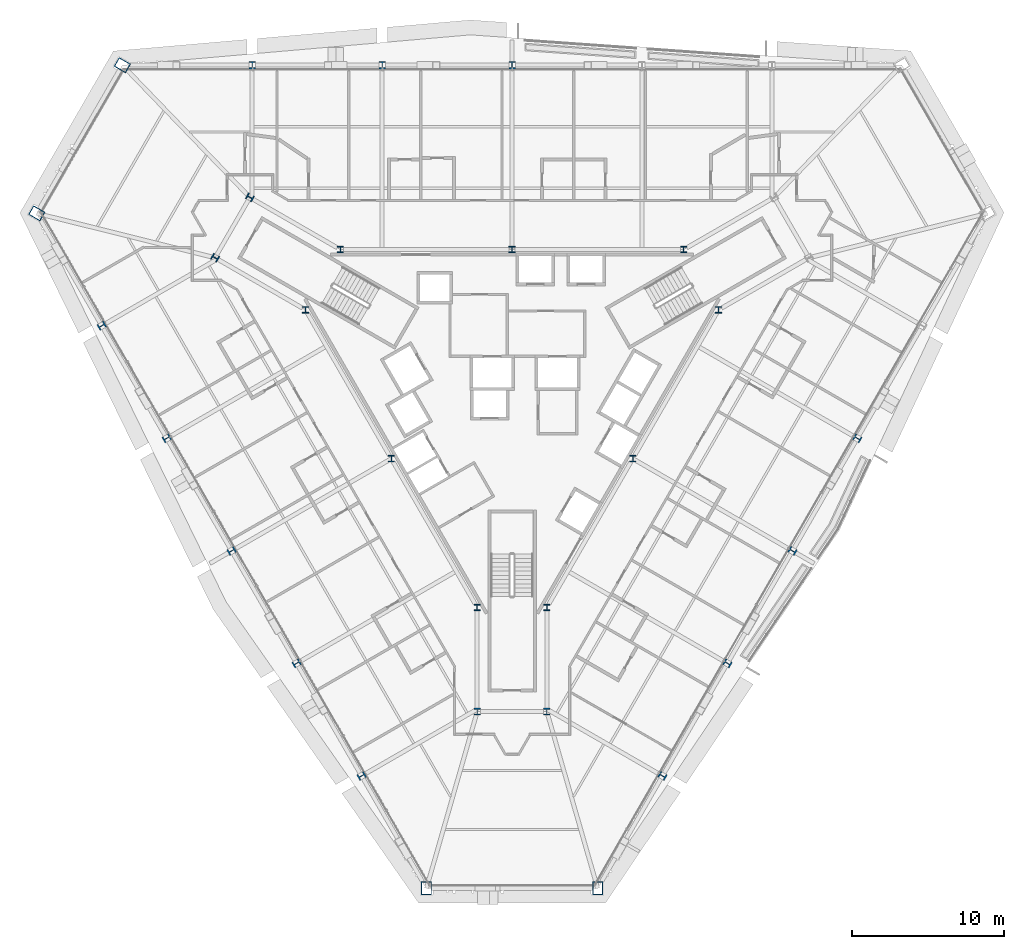
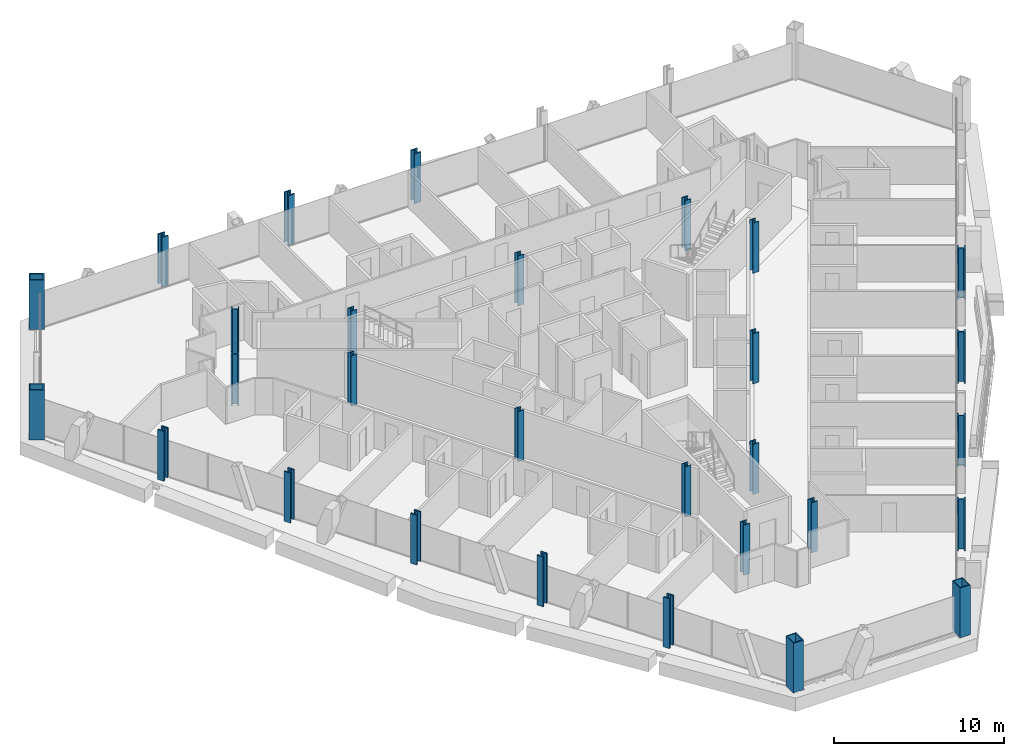
# One storey, part 1 of 20: 29 columns.
"""IFC4 building model written with IfcOpenShell, lengths in metres."""

from ifc_helpers import new_model, si_unit, direction, frame, origin, origin_2d, place, context, subcontext, project, spatial, hollow_rectangle, i_section, extrude, material, material_profile, profile_set, type_object, element, save


model = new_model("IFC4")

# Units and contexts
model_context = context("Model", 3, precision=1e-05, world=origin(), true_north=direction((0.0, 1.0)))
body_context = subcontext(model_context, "Body", "Model", "MODEL_VIEW")
ifc_project = project(units=[si_unit("LENGTHUNIT", "METRE"), si_unit("AREAUNIT", "SQUARE_METRE"), si_unit("VOLUMEUNIT", "CUBIC_METRE"), si_unit("PLANEANGLEUNIT", "RADIAN"), si_unit("MASSUNIT", "GRAM", prefix="KILO")], contexts=[model_context])

# Site, building, storey
site_placement = place(None, origin())
site = spatial("IfcSite", under=ifc_project, at=site_placement, CompositionType="ELEMENT")
building_placement = place(site_placement, origin())
building = spatial("IfcBuilding", under=site, at=building_placement, Name="Verrane Prism Tower", CompositionType="ELEMENT")
storey_placement = place(building_placement, frame((0.0, 0.0, 69.199951171875)))
storey = spatial("IfcBuildingStorey", under=building, at=storey_placement, Name="L15", CompositionType="ELEMENT", Elevation=69.199951171875)

# Columns
ifc_material_1 = material(Name="Steel A992", Category="steel")
ifc_material_profile_1 = material_profile(ifc_material_1, i_section(OverallWidth=0.419189453125, OverallDepth=0.45458984375, WebThickness=0.042236328125, FlangeThickness=0.067626953125, FilletRadius=0.01513671875, at=origin_2d()), Name="W14x370")
ifc_profile_set_1 = profile_set([ifc_material_profile_1], Name="Steel A992")
column_type_1 = type_object("IfcColumnType", Name="Core corner column W14x370", PredefinedType="COLUMN", material=ifc_profile_set_1)
for number, where, z_axis, x_axis, name in (
    (1, (-17.300048828125, 12.639892578125, 0.0), (0.0, 0.0, 1.0), (0.5, 0.866025403784, 0.0), "Core corner column CK-NWm L15"),
    (2, (-19.60009765625, 8.659912109375, 0.0), (0.0, 0.0, 1.0), (0.5, 0.866025403784, 0.0), "Core corner column CK-NWp L15"),
    (3, (-2.300048828125, -21.300048828125, 0.0), (0.0, 0.0, 1.0), (-1.0, 0.0, 0.0), "Core corner column CK-Sm L15"),
    (4, (2.300048828125, -21.300048828125, 0.0), (0.0, 0.0, 1.0), (-1.0, 0.0, 0.0), "Core corner column CK-Sp L15"),
):
    element("IfcColumn", number, at=place(storey_placement, frame(where, z_axis=z_axis, x_axis=x_axis)), inside=storey, type_object=column_type_1, Name=name, PredefinedType="COLUMN", context=body_context, shape_type="SweptSolid", body=[
        extrude(i_section(OverallWidth=0.419189453125, OverallDepth=0.45458984375, WebThickness=0.042236328125, FlangeThickness=0.067626953125, FilletRadius=0.01513671875, at=origin_2d()), origin(), (0.0, 0.0, 1.0), 3.60009765625),
    ])
ifc_material_2 = material(Name="Steel A992", Category="steel")
ifc_material_profile_2 = material_profile(ifc_material_2, i_section(OverallWidth=0.406494140625, OverallDepth=0.41650390625, WebThickness=0.030029296875, FlangeThickness=0.048095703125, FilletRadius=0.01513671875, at=origin_2d()), Name="W14x257")
ifc_profile_set_2 = profile_set([ifc_material_profile_2], Name="Steel A992")
column_type_2 = type_object("IfcColumnType", Name="Core side column W14x257", PredefinedType="COLUMN", material=ifc_profile_set_2)
for number, where, z_axis, x_axis, name in (
    (5, (13.6298828125, 5.219970703125, 0.0), (0.0, 0.0, 1.0), (1.0, 0.0, 0.0), "Core side column CC-NEm L15"),
    (6, (11.330078125, 9.199951171875, 0.0), (0.0, 0.0, 1.0), (1.0, 0.0, 0.0), "Core side column CC-NEp L15"),
    (7, (0.0, 9.199951171875, 0.0), (0.0, 0.0, 1.0), (1.0, 0.0, 0.0), "Core side column CC-N0 L15"),
    (8, (-11.330078125, 9.199951171875, 0.0), (0.0, 0.0, 1.0), (1.0, 0.0, 0.0), "Core side column CC-NWm L15"),
    (9, (-13.6298828125, 5.219970703125, 0.0), (0.0, 0.0, 1.0), (1.0, 0.0, 0.0), "Core side column CC-NWp L15"),
    (10, (-7.969970703125, -4.60009765625, 0.0), (0.0, 0.0, 1.0), (1.0, 0.0, 0.0), "Core side column CC-SW0 L15"),
    (11, (-2.300048828125, -14.419921875, 0.0), (0.0, 0.0, 1.0), (1.0, 0.0, 0.0), "Core side column CC-Sm L15"),
    (12, (2.300048828125, -14.419921875, 0.0), (0.0, 0.0, 1.0), (1.0, 0.0, 0.0), "Core side column CC-Sp L15"),
    (13, (7.969970703125, -4.60009765625, 0.0), (0.0, 0.0, 1.0), (1.0, 0.0, 0.0), "Core side column CC-SE0 L15"),
):
    element("IfcColumn", number, at=place(storey_placement, frame(where, z_axis=z_axis, x_axis=x_axis)), inside=storey, type_object=column_type_2, Name=name, PredefinedType="COLUMN", context=body_context, shape_type="SweptSolid", body=[
        extrude(i_section(OverallWidth=0.406494140625, OverallDepth=0.41650390625, WebThickness=0.030029296875, FlangeThickness=0.048095703125, FilletRadius=0.01513671875, at=origin_2d()), origin(), (0.0, 0.0, 1.0), 3.60009765625),
    ])
ifc_material_3 = material(Name="Steel A572 Grade 50", Category="steel")
ifc_material_profile_3 = material_profile(ifc_material_3, hollow_rectangle(XDim=0.699951171875, YDim=0.89990234375, WallThickness=0.06494140625, at=origin_2d()), Name="BOX 900x700x65")
ifc_profile_set_3 = profile_set([ifc_material_profile_3], Name="Steel A572 Grade 50")
column_type_3 = type_object("IfcColumnType", Name="Megacolumn BOX 900x700x65", PredefinedType="COLUMN", material=ifc_profile_set_3)
for number, where, z_axis, x_axis, name in (
    (14, (-25.719970703125, 21.3701171875, 0.0), (0.0, 0.0, 1.0), (0.5, 0.866025403784, 0.0), "Megacolumn MC-NW.a L15"),
    (15, (-31.3701171875, 11.590087890625, 0.0), (0.0, 0.0, 1.0), (0.5, 0.866025403784, 0.0), "Megacolumn MC-NW.b L15"),
    (16, (-5.64990234375, -32.9599609375, 0.0), (0.0, 0.0, 1.0), (-1.0, 0.0, 0.0), "Megacolumn MC-S.a L15"),
    (17, (5.64990234375, -32.9599609375, 0.0), (0.0, 0.0, 1.0), (-1.0, 0.0, 0.0), "Megacolumn MC-S.b L15"),
):
    element("IfcColumn", number, at=place(storey_placement, frame(where, z_axis=z_axis, x_axis=x_axis)), inside=storey, type_object=column_type_3, Name=name, PredefinedType="COLUMN", context=body_context, shape_type="SweptSolid", body=[
        extrude(hollow_rectangle(XDim=0.699951171875, YDim=0.89990234375, WallThickness=0.06494140625, at=origin_2d()), origin(), (0.0, 0.0, 1.0), 3.56005859375),
    ])
ifc_material_4 = material(Name="Steel A992", Category="steel")
ifc_material_profile_4 = material_profile(ifc_material_4, i_section(OverallWidth=0.431884765625, OverallDepth=0.497802734375, WebThickness=0.0556640625, FlangeThickness=0.0888671875, FilletRadius=0.01513671875, at=origin_2d()), Name="W14x500")
ifc_profile_set_4 = profile_set([ifc_material_profile_4], Name="Steel A992")
column_type_4 = type_object("IfcColumnType", Name="Perimeter column W14x500", PredefinedType="COLUMN", material=ifc_profile_set_4)
for number, where, z_axis, x_axis, name in (
    (18, (0.0, 21.3701171875, 0.0), (0.0, 0.0, 1.0), (1.0, 0.0, 0.0), "Perimeter column PC-N3 L15"),
    (19, (-8.570068359375, 21.3701171875, 0.0), (0.0, 0.0, 1.0), (1.0, 0.0, 0.0), "Perimeter column PC-N4 L15"),
    (20, (-17.14990234375, 21.3701171875, 0.0), (0.0, 0.0, 1.0), (1.0, 0.0, 0.0), "Perimeter column PC-N5 L15"),
    (21, (-27.080078125, 4.169921875, 0.0), (0.0, 0.0, 1.0), (-0.5, 0.866025403784, 0.0), "Perimeter column PC-SW1 L15"),
    (22, (-22.7900390625, -3.260009765625, 0.0), (0.0, 0.0, 1.0), (-0.5, 0.866025403784, 0.0), "Perimeter column PC-SW2 L15"),
    (23, (-18.510009765625, -10.68994140625, 0.0), (0.0, 0.0, 1.0), (-0.5, 0.866025403784, 0.0), "Perimeter column PC-SW3 L15"),
    (24, (-14.219970703125, -18.110107421875, 0.0), (0.0, 0.0, 1.0), (-0.5, 0.866025403784, 0.0), "Perimeter column PC-SW4 L15"),
    (25, (-9.929931640625, -25.5400390625, 0.0), (0.0, 0.0, 1.0), (-0.5, 0.866025403784, 0.0), "Perimeter column PC-SW5 L15"),
    (26, (9.929931640625, -25.5400390625, 0.0), (0.0, 0.0, 1.0), (-0.5, -0.866025403784, 0.0), "Perimeter column PC-SE1 L15"),
    (27, (14.219970703125, -18.110107421875, 0.0), (0.0, 0.0, 1.0), (-0.5, -0.866025403784, 0.0), "Perimeter column PC-SE2 L15"),
    (28, (18.510009765625, -10.68994140625, 0.0), (0.0, 0.0, 1.0), (-0.5, -0.866025403784, 0.0), "Perimeter column PC-SE3 L15"),
    (29, (22.7900390625, -3.260009765625, 0.0), (0.0, 0.0, 1.0), (-0.5, -0.866025403784, 0.0), "Perimeter column PC-SE4 L15"),
):
    element("IfcColumn", number, at=place(storey_placement, frame(where, z_axis=z_axis, x_axis=x_axis)), inside=storey, type_object=column_type_4, Name=name, PredefinedType="COLUMN", context=body_context, shape_type="SweptSolid", body=[
        extrude(i_section(OverallWidth=0.431884765625, OverallDepth=0.497802734375, WebThickness=0.0556640625, FlangeThickness=0.0888671875, FilletRadius=0.01513671875, at=origin_2d()), origin(), (0.0, 0.0, 1.0), 3.574951171875),
    ])

save(model, "model.ifc")
